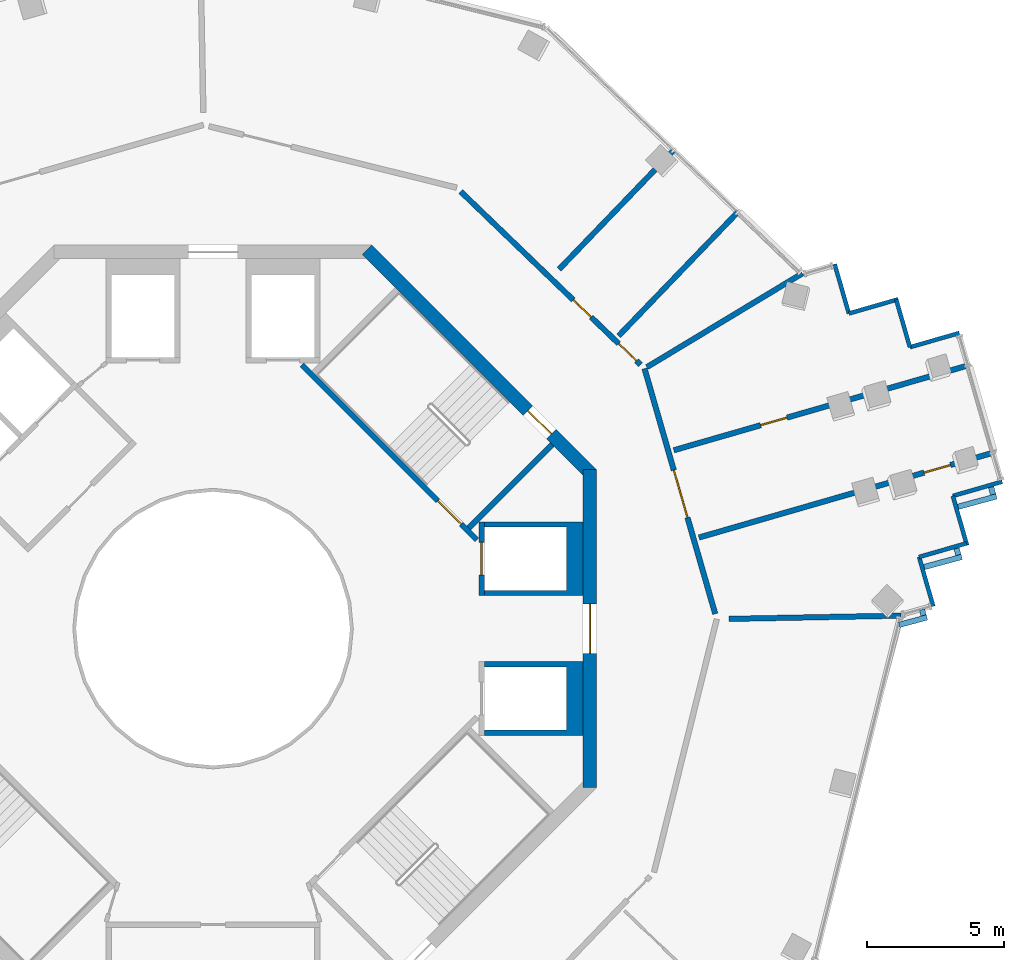
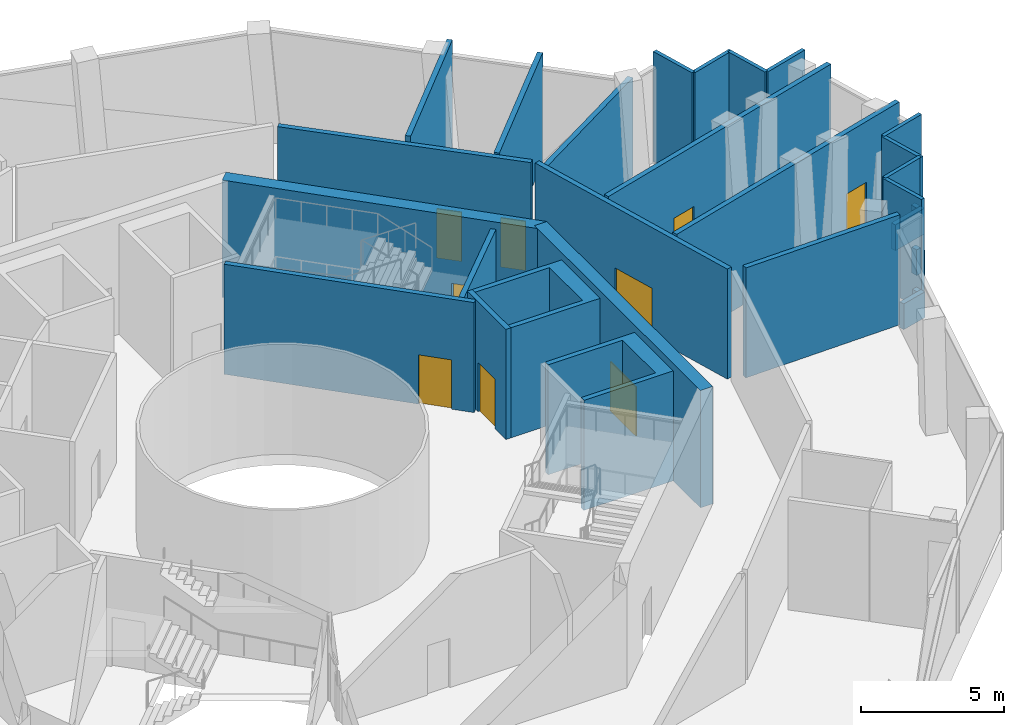
# One storey, part 11 of 17: 29 walls, 9 doors, 9 openings.
"""IFC4 building model written with IfcOpenShell, lengths in metres."""

from ifc_helpers import new_model, si_unit, direction, frame, frame_2d, origin, place, context, subcontext, project, spatial, polyline, rectangle, outline, extrude, material, layer, layer_set, type_object, element, fill, save


model = new_model("IFC4")

# Units and contexts
model_context = context("Model", 3, precision=1e-05, world=origin(), true_north=direction((0.0, 1.0)))
body_context = subcontext(model_context, "Body", "Model", "MODEL_VIEW")
ifc_project = project(units=[si_unit("LENGTHUNIT", "METRE"), si_unit("AREAUNIT", "SQUARE_METRE"), si_unit("VOLUMEUNIT", "CUBIC_METRE"), si_unit("PLANEANGLEUNIT", "RADIAN"), si_unit("MASSUNIT", "GRAM", prefix="KILO")], contexts=[model_context])

# Site, building, storey
site_placement = place(None, origin())
site = spatial("IfcSite", under=ifc_project, at=site_placement, CompositionType="ELEMENT")
building_placement = place(site_placement, origin())
building = spatial("IfcBuilding", under=site, at=building_placement, Name="Verdalira Terraces Hotel", CompositionType="ELEMENT")
storey_placement = place(building_placement, frame((0.0, 0.0, 222.0)))
storey = spatial("IfcBuildingStorey", under=building, at=storey_placement, Name="L54", CompositionType="ELEMENT", Elevation=222.0)

# Walls
ifc_material_1 = material(Name="Concrete C50", Category="concrete")
ifc_layer_1 = layer(ifc_material_1, 0.199951171875)
ifc_layer_set_1 = layer_set([ifc_layer_1], Name="Core RC wall 200 C50")
wall_type_1 = type_object("IfcWallType", Name="Core RC wall 200 C50", PredefinedType="SOLIDWALL", material=ifc_layer_set_1)
wall_1_placement = place(storey_placement, origin())
element("IfcWall", 1, at=wall_1_placement, inside=storey, type_object=wall_type_1, Name="L54 shaft wall E1", PredefinedType="SOLIDWALL", context=body_context, shape_type="SweptSolid", body=[
    extrude(outline(polyline([(13.5, -3.899902), (9.899902, -3.899902), (9.899902, -3.699951), (12.899902, -3.699951), (12.899902, -1.399902), (9.899902, -1.399902), (9.899902, -1.199951), (13.5, -1.199951), (13.5, -3.899902)])), origin(), (0.0, 0.0, 1.0), 4.689941),
])
wall_2_placement = place(storey_placement, origin())
element("IfcWall", 2, at=wall_2_placement, inside=storey, type_object=wall_type_1, Name="L54 shaft wall E2", PredefinedType="SOLIDWALL", context=body_context, shape_type="SweptSolid", body=[
    extrude(outline(polyline([(13.5, 3.899902), (13.5, 1.199951), (9.899902, 1.199951), (9.899902, 1.399902), (12.899902, 1.399902), (12.899902, 3.699951), (9.899902, 3.699951), (9.899902, 3.899902), (13.5, 3.899902)])), origin(), (0.0, 0.0, 1.0), 4.689941),
])

# Wall, opening, door
wall_3_placement = place(storey_placement, frame((9.800049, 1.199951, 0.0), z_axis=(0.0, 0.0, 1.0), x_axis=(0.0, 1.0, 0.0)))
wall_3 = element("IfcWall", 3, at=wall_3_placement, inside=storey, type_object=wall_type_1, Name="L54 shaft front wall E2", PredefinedType="SOLIDWALL", context=body_context, shape_type="SweptSolid", body=[
    extrude(rectangle(XDim=2.699951, YDim=0.199951, at=frame_2d((1.350098, 0.0))), origin(), (0.0, 0.0, 1.0), 4.689941),
])
opening_1_placement = place(wall_3_placement, frame((0.75, 0.0, 0.0)))
opening_1 = element("IfcOpeningElement", 4, at=opening_1_placement, cuts=wall_3, Name="Opening LD-L54-803", PredefinedType="OPENING", context=body_context, shape_type="SweptSolid", body=[
    extrude(rectangle(XDim=1.199951, YDim=2.100098, at=frame_2d((0.600098, 1.050049))), frame((0.0, 0.109863, 0.0), z_axis=(0.0, -1.0, 0.0), x_axis=(1.0, 0.0, 0.0)), (0.0, 0.0, 1.0), 0.219971),
])
ifc_material_2 = material(Name="Stainless steel", Category="steel")
door_type_1 = type_object("IfcDoorType", Name="Landing door 1200 x 2100", OperationType="NOTDEFINED", PredefinedType="DOOR", material=ifc_material_2)
door_1_placement = place(opening_1_placement, origin())
door_1 = element("IfcDoor", 5, at=door_1_placement, inside=storey, type_object=door_type_1, Name="Lift landing door HR2 L54", OperationType="DOUBLE_DOOR_SLIDING", OverallHeight=2.10009765625, OverallWidth=1.199951171875, PredefinedType="DOOR", context=body_context, shape_type="SweptSolid", body=[
    extrude(rectangle(XDim=1.199951, YDim=2.100098, at=frame_2d((0.600098, 1.050049))), frame((0.0, 0.024902, 0.0), z_axis=(0.0, -1.0, 0.0), x_axis=(1.0, 0.0, 0.0)), (0.0, 0.0, 1.0), 0.050049),
])
fill(opening_1, door_1)

wall_4_placement = place(storey_placement, frame((3.23999, 9.629395, 0.0), z_axis=(0.0, 0.0, 1.0), x_axis=(0.707106781, -0.707106781, 0.0)))
wall_4 = element("IfcWall", 6, at=wall_4_placement, inside=storey, type_object=wall_type_1, Name="L54 stair ST1 front wall", PredefinedType="SOLIDWALL", context=body_context, shape_type="SweptSolid", body=[
    extrude(rectangle(XDim=9.035889, YDim=0.199951, at=frame_2d((4.518066, 0.0))), origin(), (0.0, 0.0, 1.0), 4.689941),
])
opening_2_placement = place(wall_4_placement, frame((7.017822, 0.0, 0.0)))
opening_2 = element("IfcOpeningElement", 7, at=opening_2_placement, cuts=wall_4, Name="Opening L54-810", PredefinedType="OPENING", context=body_context, shape_type="SweptSolid", body=[
    extrude(rectangle(XDim=1.199951, YDim=2.100098, at=frame_2d((0.600098, 1.050049))), frame((0.0, 0.109863, 0.0), z_axis=(0.0, -1.0, 0.0), x_axis=(1.0, 0.0, 0.0)), (0.0, 0.0, 1.0), 0.219971),
])
ifc_material_3 = material(Name="Steel fire door", Category="steel")
door_type_2 = type_object("IfcDoorType", Name="Stair door 1200 x 2100", OperationType="NOTDEFINED", PredefinedType="DOOR", material=ifc_material_3)
door_2_placement = place(opening_2_placement, origin())
door_2 = element("IfcDoor", 8, at=door_2_placement, inside=storey, type_object=door_type_2, Name="Stair door ST1 L54", OperationType="SINGLE_SWING_RIGHT", OverallHeight=2.10009765625, OverallWidth=1.199951171875, PredefinedType="DOOR", context=body_context, shape_type="SweptSolid", body=[
    extrude(rectangle(XDim=1.199951, YDim=2.100098, at=frame_2d((0.600098, 1.050049))), frame((0.0, 0.024902, 0.0), z_axis=(0.0, -1.0, 0.0), x_axis=(1.0, 0.0, 0.0)), (0.0, 0.0, 1.0), 0.050049),
])
fill(opening_2, door_2)

# Wall
wall_5_placement = place(storey_placement, frame((9.33374, 3.677002, 0.0), z_axis=(0.0, 0.0, 1.0), x_axis=(0.707135168, 0.707078393, 0.0)))
element("IfcWall", 9, at=wall_5_placement, inside=storey, type_object=wall_type_1, Name="L54 stair ST1 end wall 1", PredefinedType="SOLIDWALL", context=body_context, shape_type="SweptSolid", body=[
    extrude(rectangle(XDim=4.300049, YDim=0.199951, at=frame_2d((2.149902, 0.0))), origin(), (0.0, 0.0, 1.0), 4.689941),
])

# Wall, opening, door
ifc_material_4 = material(Name="Concrete C50", Category="concrete")
ifc_layer_2 = layer(ifc_material_4, 0.5)
ifc_layer_set_2 = layer_set([ifc_layer_2], Name="Core wall 500 C50")
wall_type_2 = type_object("IfcWallType", Name="Core wall 500 C50", PredefinedType="SHEAR", material=ifc_layer_set_2)
wall_6_placement = place(storey_placement, frame((13.75, -5.799072, 0.0), z_axis=(0.0, 0.0, 1.0), x_axis=(0.0, 1.0, 0.0)))
wall_6 = element("IfcWall", 10, at=wall_6_placement, inside=storey, type_object=wall_type_2, Name="Core wall CW-L54-1", PredefinedType="SHEAR", context=body_context, shape_type="SweptSolid", body=[
    extrude(rectangle(XDim=11.598145, YDim=0.5, at=frame_2d((5.799072, 0.0))), origin(), (0.0, 0.0, 1.0), 5.0),
])
opening_3_placement = place(wall_6_placement, frame((4.898926, 0.0, 0.0)))
opening_3 = element("IfcOpeningElement", 11, at=opening_3_placement, cuts=wall_6, Name="Opening L54-813", PredefinedType="OPENING", context=body_context, shape_type="SweptSolid", body=[
    extrude(rectangle(XDim=1.800049, YDim=2.100098, at=frame_2d((0.899902, 1.050049))), frame((0.0, 0.26001, 0.0), z_axis=(0.0, -1.0, 0.0), x_axis=(1.0, 0.0, 0.0)), (0.0, 0.0, 1.0), 0.52002),
])
ifc_material_5 = material(Name="Steel fire door", Category="steel")
door_type_3 = type_object("IfcDoorType", Name="Core entry door pair 1800 x 2100", OperationType="NOTDEFINED", PredefinedType="DOOR", material=ifc_material_5)
door_3_placement = place(opening_3_placement, origin())
door_3 = element("IfcDoor", 12, at=door_3_placement, inside=storey, type_object=door_type_3, Name="Core entry door L54 0", OperationType="DOUBLE_DOOR_SINGLE_SWING", OverallHeight=2.10009765625, OverallWidth=1.800048828125, PredefinedType="DOOR", context=body_context, shape_type="SweptSolid", body=[
    extrude(rectangle(XDim=1.800049, YDim=2.100098, at=frame_2d((0.899902, 1.050049))), frame((0.0, 0.024902, 0.0), z_axis=(0.0, -1.0, 0.0), x_axis=(1.0, 0.0, 0.0)), (0.0, 0.0, 1.0), 0.050049),
])
fill(opening_3, door_3)

wall_7_placement = place(storey_placement, frame((13.823242, 5.622314, 0.0), z_axis=(0.0, 0.0, 1.0), x_axis=(-0.707106781, 0.707106781, 0.0)))
wall_7 = element("IfcWall", 13, at=wall_7_placement, inside=storey, type_object=wall_type_2, Name="Core wall CW-L54-2", PredefinedType="SHEAR", context=body_context, shape_type="SweptSolid", body=[
    extrude(rectangle(XDim=11.5979, YDim=0.5, at=frame_2d((5.798828, 0.0))), origin(), (0.0, 0.0, 1.0), 5.0),
])
opening_4_placement = place(wall_7_placement, frame((2.099121, 0.0, 0.0)))
opening_4 = element("IfcOpeningElement", 14, at=opening_4_placement, cuts=wall_7, Name="Opening L54-816", PredefinedType="OPENING", context=body_context, shape_type="SweptSolid", body=[
    extrude(rectangle(XDim=1.199951, YDim=2.100098, at=frame_2d((0.600098, 1.050049))), frame((0.0, 0.26001, 0.0), z_axis=(0.0, -1.0, 0.0), x_axis=(1.0, 0.0, 0.0)), (0.0, 0.0, 1.0), 0.52002),
])
door_4_placement = place(opening_4_placement, origin())
door_4 = element("IfcDoor", 15, at=door_4_placement, inside=storey, type_object=door_type_2, Name="Stair exit door ST1 L54", OperationType="SINGLE_SWING_LEFT", OverallHeight=2.10009765625, OverallWidth=1.199951171875, PredefinedType="DOOR", context=body_context, shape_type="SweptSolid", body=[
    extrude(rectangle(XDim=1.199951, YDim=2.100098, at=frame_2d((0.600098, 1.050049))), frame((0.0, 0.024902, 0.0), z_axis=(0.0, -1.0, 0.0), x_axis=(1.0, 0.0, 0.0)), (0.0, 0.0, 1.0), 0.050049),
])
fill(opening_4, door_4)

# Wall
ifc_material_6 = material(Name="Fire-rated gypsum board wall")
ifc_layer_3 = layer(ifc_material_6, 0.199951171875)
ifc_layer_set_3 = layer_set([ifc_layer_3], Name="Demising wall 200 mm")
wall_type_3 = type_object("IfcWallType", Name="Demising wall 200 mm", PredefinedType="SOLIDWALL", material=ifc_layer_set_3)
wall_8_placement = place(storey_placement, frame((25.109619, 0.473389, 0.0), z_axis=(0.0, 0.0, 1.0), x_axis=(-0.999822352, -0.018848441, 0.0)))
element("IfcWall", 16, at=wall_8_placement, inside=storey, type_object=wall_type_3, Name="Demising wall", PredefinedType="SOLIDWALL", context=body_context, shape_type="SweptSolid", body=[
    extrude(rectangle(XDim=6.282227, YDim=0.199951, at=frame_2d((3.141113, 0.0))), origin(), (0.0, 0.0, 1.0), 4.689941),
])

# Wall, opening, door
wall_9_placement = place(storey_placement, frame((16.813232, 6.509033, 0.0), z_axis=(0.0, 0.0, 1.0), x_axis=(0.960873818, 0.276986474, 0.0)))
wall_9 = element("IfcWall", 17, at=wall_9_placement, inside=storey, type_object=wall_type_3, Name="Demising wall", PredefinedType="SOLIDWALL", context=body_context, shape_type="SweptSolid", body=[
    extrude(rectangle(XDim=11.198486, YDim=0.199951, at=frame_2d((5.599121, 0.0))), origin(), (0.0, 0.0, 1.0), 4.689941),
])
opening_5_placement = place(wall_9_placement, frame((3.300049, 0.0, 0.0)))
opening_5 = element("IfcOpeningElement", 18, at=opening_5_placement, cuts=wall_9, Name="Opening L54-118", PredefinedType="OPENING", context=body_context, shape_type="SweptSolid", body=[
    extrude(rectangle(XDim=1.0, YDim=2.100098, at=frame_2d((0.5, 1.050049))), frame((0.0, 0.109863, 0.0), z_axis=(0.0, -1.0, 0.0), x_axis=(1.0, 0.0, 0.0)), (0.0, 0.0, 1.0), 0.219971),
])
ifc_material_7 = material(Name="Timber fire door", Category="wood")
door_type_4 = type_object("IfcDoorType", Name="Public room door 1000 x 2100", OperationType="NOTDEFINED", PredefinedType="DOOR", material=ifc_material_7)
door_5_placement = place(opening_5_placement, origin())
door_5 = element("IfcDoor", 19, at=door_5_placement, inside=storey, type_object=door_type_4, Name="Public room door 5408", OperationType="SINGLE_SWING_LEFT", OverallHeight=2.10009765625, OverallWidth=1.0, PredefinedType="DOOR", context=body_context, shape_type="SweptSolid", body=[
    extrude(rectangle(XDim=1.0, YDim=2.100098, at=frame_2d((0.5, 1.050049))), frame((0.0, 0.024902, 0.0), z_axis=(0.0, -1.0, 0.0), x_axis=(1.0, 0.0, 0.0)), (0.0, 0.0, 1.0), 0.050049),
])
fill(opening_5, door_5)

wall_10_placement = place(storey_placement, frame((28.491699, 6.425781, 0.0), z_axis=(0.0, 0.0, 1.0), x_axis=(-0.96087962, -0.276966345, 0.0)))
wall_10 = element("IfcWall", 20, at=wall_10_placement, inside=storey, type_object=wall_type_3, Name="Demising wall", PredefinedType="SOLIDWALL", context=body_context, shape_type="SweptSolid", body=[
    extrude(rectangle(XDim=11.198242, YDim=0.199951, at=frame_2d((5.599121, 0.0))), origin(), (0.0, 0.0, 1.0), 4.689941),
])
opening_6_placement = place(wall_10_placement, frame((1.649902, 0.0, 0.0)))
opening_6 = element("IfcOpeningElement", 21, at=opening_6_placement, cuts=wall_10, Name="Opening L54-117", PredefinedType="OPENING", context=body_context, shape_type="SweptSolid", body=[
    extrude(rectangle(XDim=1.0, YDim=2.100098, at=frame_2d((0.5, 1.050049))), frame((0.0, 0.109863, 0.0), z_axis=(0.0, -1.0, 0.0), x_axis=(1.0, 0.0, 0.0)), (0.0, 0.0, 1.0), 0.219971),
])
door_6_placement = place(opening_6_placement, origin())
door_6 = element("IfcDoor", 22, at=door_6_placement, inside=storey, type_object=door_type_4, Name="Public room door 5408", OperationType="SINGLE_SWING_LEFT", OverallHeight=2.10009765625, OverallWidth=1.0, PredefinedType="DOOR", context=body_context, shape_type="SweptSolid", body=[
    extrude(rectangle(XDim=1.0, YDim=2.100098, at=frame_2d((0.5, 1.050049))), frame((0.0, 0.024902, 0.0), z_axis=(0.0, -1.0, 0.0), x_axis=(1.0, 0.0, 0.0)), (0.0, 0.0, 1.0), 0.050049),
])
fill(opening_6, door_6)

# Wall, openings, doors
ifc_material_8 = material(Name="Fire-rated gypsum board wall")
ifc_layer_4 = layer(ifc_material_8, 0.199951171875)
ifc_layer_set_4 = layer_set([ifc_layer_4], Name="Guest corridor wall 200 mm")
wall_type_4 = type_object("IfcWallType", Name="Guest corridor wall 200 mm", PredefinedType="SOLIDWALL", material=ifc_layer_set_4)
wall_11_placement = place(storey_placement, frame((9.035156, 15.952881, 0.0), z_axis=(0.0, 0.0, 1.0), x_axis=(0.720318231, -0.693643746, 0.0)))
wall_11 = element("IfcWall", 23, at=wall_11_placement, inside=storey, type_object=wall_type_4, Name="Guest corridor wall", PredefinedType="SOLIDWALL", context=body_context, shape_type="SweptSolid", body=[
    extrude(rectangle(XDim=9.115967, YDim=0.199951, at=frame_2d((4.558105, 0.0))), origin(), (0.0, 0.0, 1.0), 4.689941),
])
opening_7_placement = place(wall_11_placement, frame((8.007812, 0.0, 0.0)))
opening_7 = element("IfcOpeningElement", 24, at=opening_7_placement, cuts=wall_11, Name="Opening L54-123", PredefinedType="OPENING", context=body_context, shape_type="SweptSolid", body=[
    extrude(rectangle(XDim=0.899902, YDim=2.100098, at=frame_2d((0.449951, 1.050049))), frame((0.0, 0.109863, 0.0), z_axis=(0.0, -1.0, 0.0), x_axis=(1.0, 0.0, 0.0)), (0.0, 0.0, 1.0), 0.219971),
])
opening_8_placement = place(wall_11_placement, frame((5.707764, 0.0, 0.0)))
opening_8 = element("IfcOpeningElement", 25, at=opening_8_placement, cuts=wall_11, Name="Opening L54-124", PredefinedType="OPENING", context=body_context, shape_type="SweptSolid", body=[
    extrude(rectangle(XDim=0.899902, YDim=2.100098, at=frame_2d((0.449951, 1.050049))), frame((0.0, 0.109863, 0.0), z_axis=(0.0, -1.0, 0.0), x_axis=(1.0, 0.0, 0.0)), (0.0, 0.0, 1.0), 0.219971),
])
ifc_material_9 = material(Name="Timber fire door", Category="wood")
door_type_5 = type_object("IfcDoorType", Name="Toilet door 900 x 2100", OperationType="NOTDEFINED", PredefinedType="DOOR", material=ifc_material_9)
door_7_placement = place(opening_7_placement, origin())
door_7 = element("IfcDoor", 26, at=door_7_placement, inside=storey, type_object=door_type_5, Name="Toilet door 5413", OperationType="SINGLE_SWING_LEFT", OverallHeight=2.10009765625, OverallWidth=0.89990234375, PredefinedType="DOOR", context=body_context, shape_type="SweptSolid", body=[
    extrude(rectangle(XDim=0.899902, YDim=2.100098, at=frame_2d((0.449951, 1.050049))), frame((0.0, 0.024902, 0.0), z_axis=(0.0, -1.0, 0.0), x_axis=(1.0, 0.0, 0.0)), (0.0, 0.0, 1.0), 0.050049),
])
fill(opening_7, door_7)
door_8_placement = place(opening_8_placement, origin())
door_8 = element("IfcDoor", 27, at=door_8_placement, inside=storey, type_object=door_type_5, Name="Toilet door 5414", OperationType="SINGLE_SWING_LEFT", OverallHeight=2.10009765625, OverallWidth=0.89990234375, PredefinedType="DOOR", context=body_context, shape_type="SweptSolid", body=[
    extrude(rectangle(XDim=0.899902, YDim=2.100098, at=frame_2d((0.449951, 1.050049))), frame((0.0, 0.024902, 0.0), z_axis=(0.0, -1.0, 0.0), x_axis=(1.0, 0.0, 0.0)), (0.0, 0.0, 1.0), 0.050049),
])
fill(opening_8, door_8)

# Wall, opening, door
wall_12_placement = place(storey_placement, frame((15.745605, 9.490967, 0.0), z_axis=(0.0, 0.0, 1.0), x_axis=(0.276983861, -0.960874571, 0.0)))
wall_12 = element("IfcWall", 28, at=wall_12_placement, inside=storey, type_object=wall_type_4, Name="Guest corridor wall", PredefinedType="SOLIDWALL", context=body_context, shape_type="SweptSolid", body=[
    extrude(rectangle(XDim=9.31665, YDim=0.199951, at=frame_2d((4.658203, 0.0))), origin(), (0.0, 0.0, 1.0), 4.689941),
])
opening_9_placement = place(wall_12_placement, frame((3.86084, 0.0, 0.0)))
opening_9 = element("IfcOpeningElement", 29, at=opening_9_placement, cuts=wall_12, Name="Opening L54-116", PredefinedType="OPENING", context=body_context, shape_type="SweptSolid", body=[
    extrude(rectangle(XDim=1.800049, YDim=2.100098, at=frame_2d((0.899902, 1.050049))), frame((0.0, 0.109863, 0.0), z_axis=(0.0, -1.0, 0.0), x_axis=(1.0, 0.0, 0.0)), (0.0, 0.0, 1.0), 0.219971),
])
ifc_material_10 = material(Name="Timber fire door", Category="wood")
door_type_6 = type_object("IfcDoorType", Name="Public room double door 1800 x 2100", OperationType="NOTDEFINED", PredefinedType="DOOR", material=ifc_material_10)
door_9_placement = place(opening_9_placement, origin())
door_9 = element("IfcDoor", 30, at=door_9_placement, inside=storey, type_object=door_type_6, Name="Public room double door 5408", OperationType="DOUBLE_DOOR_SINGLE_SWING", OverallHeight=2.10009765625, OverallWidth=1.800048828125, PredefinedType="DOOR", context=body_context, shape_type="SweptSolid", body=[
    extrude(rectangle(XDim=1.800049, YDim=2.100098, at=frame_2d((0.899902, 1.050049))), frame((0.0, 0.024902, 0.0), z_axis=(0.0, -1.0, 0.0), x_axis=(1.0, 0.0, 0.0)), (0.0, 0.0, 1.0), 0.050049),
])
fill(opening_9, door_9)

# Walls
ifc_material_11 = material(Name="Fire-rated gypsum board wall")
ifc_layer_5 = layer(ifc_material_11, 0.199951171875)
ifc_layer_set_5 = layer_set([ifc_layer_5], Name="Service room wall 200 mm")
wall_type_5 = type_object("IfcWallType", Name="Service room wall 200 mm", PredefinedType="SOLIDWALL", material=ifc_layer_set_5)
wall_13_placement = place(storey_placement, frame((16.826904, 17.473389, 0.0), z_axis=(0.0, 0.0, 1.0), x_axis=(-0.693670367, -0.720292594, 0.0)))
element("IfcWall", 31, at=wall_13_placement, inside=storey, type_object=wall_type_5, Name="Service room wall", PredefinedType="SOLIDWALL", context=body_context, shape_type="SweptSolid", body=[
    extrude(rectangle(XDim=6.05249, YDim=0.199951, at=frame_2d((3.026367, 0.0))), origin(), (0.0, 0.0, 1.0), 4.689941),
])
wall_14_placement = place(storey_placement, frame((14.797852, 10.681152, 0.0), z_axis=(0.0, 0.0, 1.0), x_axis=(0.693669986, 0.720292962, 0.0)))
element("IfcWall", 32, at=wall_14_placement, inside=storey, type_object=wall_type_5, Name="Service room wall", PredefinedType="SOLIDWALL", context=body_context, shape_type="SweptSolid", body=[
    extrude(rectangle(XDim=6.300049, YDim=0.199951, at=frame_2d((3.149902, 0.0))), origin(), (0.0, 0.0, 1.0), 4.689941),
])
ifc_material_12 = material(Name="Fire-rated gypsum board wall")
ifc_layer_6 = layer(ifc_material_12, 0.199951171875)
ifc_layer_set_6 = layer_set([ifc_layer_6], Name="Service room wall 200 mm to beam soffit")
wall_type_6 = type_object("IfcWallType", Name="Service room wall 200 mm to beam soffit", PredefinedType="SOLIDWALL", material=ifc_layer_set_6)
wall_15_placement = place(storey_placement, frame((15.834229, 9.544189, 0.0), z_axis=(0.0, 0.0, 1.0), x_axis=(0.856447509, 0.516234118, 0.0)))
element("IfcWall", 33, at=wall_15_placement, inside=storey, type_object=wall_type_6, Name="Service room wall", PredefinedType="SOLIDWALL", context=body_context, shape_type="SweptSolid", body=[
    extrude(rectangle(XDim=6.625732, YDim=0.199951, at=frame_2d((3.312988, 0.0))), origin(), (0.0, 0.0, 1.0), 4.189941),
])
ifc_material_13 = material(Name="Terracotta cladding", Category="masonry")
ifc_layer_7 = layer(ifc_material_13, 0.199951171875)
ifc_layer_set_7 = layer_set([ifc_layer_7], Name="Terracotta clad parapet 200")
wall_type_7 = type_object("IfcWallType", Name="Terracotta clad parapet 200", PredefinedType="PARAPET", material=ifc_layer_set_7)
wall_16_placement = place(storey_placement, frame((25.040039, 0.13623, 0.0), z_axis=(0.0, 0.0, 1.0), x_axis=(0.965399806, 0.260774261, 0.0)))
element("IfcWall", 34, at=wall_16_placement, inside=storey, type_object=wall_type_7, Name="Terracotta clad parapet", PredefinedType="PARAPET", context=body_context, shape_type="SweptSolid", body=[
    extrude(rectangle(XDim=1.049561, YDim=0.199951, at=frame_2d((0.524902, 0.0))), origin(), (0.0, 0.0, 1.0), 1.100098),
])
wall_17_placement = place(storey_placement, frame((25.930664, 0.480469, 0.0), z_axis=(0.0, 0.0, 1.0), x_axis=(-0.261329138, 0.965249751, 0.0)))
element("IfcWall", 35, at=wall_17_placement, inside=storey, type_object=wall_type_7, Name="Terracotta clad parapet", PredefinedType="PARAPET", context=body_context, shape_type="SweptSolid", body=[
    extrude(rectangle(XDim=0.219482, YDim=0.199951, at=frame_2d((0.109863, 0.0))), origin(), (0.0, 0.0, 1.0), 1.100098),
])
wall_18_placement = place(storey_placement, frame((25.950684, 2.246826, 0.0), z_axis=(0.0, 0.0, 1.0), x_axis=(0.965387967, 0.260818085, 0.0)))
element("IfcWall", 36, at=wall_18_placement, inside=storey, type_object=wall_type_7, Name="Terracotta clad parapet", PredefinedType="PARAPET", context=body_context, shape_type="SweptSolid", body=[
    extrude(rectangle(XDim=1.419922, YDim=0.199951, at=frame_2d((0.709961, 0.0))), origin(), (0.0, 0.0, 1.0), 1.100098),
])
wall_19_placement = place(storey_placement, frame((27.198975, 2.687744, 0.0), z_axis=(0.0, 0.0, 1.0), x_axis=(-0.26179466, 0.965123596, 0.0)))
element("IfcWall", 37, at=wall_19_placement, inside=storey, type_object=wall_type_7, Name="Terracotta clad parapet", PredefinedType="PARAPET", context=body_context, shape_type="SweptSolid", body=[
    extrude(rectangle(XDim=0.25, YDim=0.199951, at=frame_2d((0.125, 0.0))), origin(), (0.0, 0.0, 1.0), 1.100098),
])
wall_20_placement = place(storey_placement, frame((27.190186, 4.446289, 0.0), z_axis=(0.0, 0.0, 1.0), x_axis=(0.965371418, 0.260879331, 0.0)))
element("IfcWall", 38, at=wall_20_placement, inside=storey, type_object=wall_type_7, Name="Terracotta clad parapet", PredefinedType="PARAPET", context=body_context, shape_type="SweptSolid", body=[
    extrude(rectangle(XDim=1.449707, YDim=0.199951, at=frame_2d((0.724854, 0.0))), origin(), (0.0, 0.0, 1.0), 1.100098),
])
wall_21_placement = place(storey_placement, frame((28.467041, 4.894775, 0.0), z_axis=(0.0, 0.0, 1.0), x_axis=(-0.261128255, 0.965304115, 0.0)))
element("IfcWall", 39, at=wall_21_placement, inside=storey, type_object=wall_type_7, Name="Terracotta clad parapet", PredefinedType="PARAPET", context=body_context, shape_type="SweptSolid", body=[
    extrude(rectangle(XDim=0.280518, YDim=0.199951, at=frame_2d((0.140137, 0.0))), origin(), (0.0, 0.0, 1.0), 1.100098),
])
ifc_material_14 = material(Name="Terracotta cladding", Category="masonry")
ifc_layer_8 = layer(ifc_material_14, 0.14990234375)
ifc_layer_set_8 = layer_set([ifc_layer_8], Name="Terracotta clad wall 150")
wall_type_8 = type_object("IfcWallType", Name="Terracotta clad wall 150", PredefinedType="SOLIDWALL", material=ifc_layer_set_8)
wall_22_placement = place(storey_placement, frame((26.285156, 0.812256, 0.0), z_axis=(0.0, 0.0, 1.0), x_axis=(-0.276973388, 0.96087759, 0.0)))
element("IfcWall", 40, at=wall_22_placement, inside=storey, type_object=wall_type_8, Name="Terracotta cladding wall", PredefinedType="SOLIDWALL", context=body_context, shape_type="SweptSolid", body=[
    extrude(rectangle(XDim=1.874756, YDim=0.149902, at=frame_2d((0.9375, 0.0))), origin(), (0.0, 0.0, 1.0), 4.689941),
])
wall_23_placement = place(storey_placement, frame((25.765869, 2.61377, 0.0), z_axis=(0.0, 0.0, 1.0), x_axis=(0.96084026, 0.277102859, 0.0)))
element("IfcWall", 41, at=wall_23_placement, inside=storey, type_object=wall_type_8, Name="Terracotta cladding wall", PredefinedType="SOLIDWALL", context=body_context, shape_type="SweptSolid", body=[
    extrude(rectangle(XDim=1.800049, YDim=0.149902, at=frame_2d((0.899902, 0.0))), origin(), (0.0, 0.0, 1.0), 4.689941),
])
for number, where, z_axis, x_axis, name in (
    (42, (27.516113, 3.040283, 0.0), (0.0, 0.0, 1.0), (-0.276938737, 0.960887577, 0.0), "Terracotta cladding wall"),
    (43, (26.996826, 4.842041, 0.0), (0.0, 0.0, 1.0), (0.960887577, 0.276938737, 0.0), "Terracotta cladding wall"),
    (44, (27.233643, 10.790283, 0.0), (0.0, 0.0, 1.0), (-0.960887577, -0.276938737, 0.0), "Terracotta cladding wall"),
):
    element("IfcWall", number, at=place(storey_placement, frame(where, z_axis=z_axis, x_axis=x_axis)), inside=storey, type_object=wall_type_8, Name=name, PredefinedType="SOLIDWALL", context=body_context, shape_type="SweptSolid", body=[
        extrude(rectangle(XDim=1.875, YDim=0.149902, at=frame_2d((0.9375, 0.0))), origin(), (0.0, 0.0, 1.0), 4.689941),
    ])
wall_24_placement = place(storey_placement, frame((25.431885, 10.270996, 0.0), z_axis=(0.0, 0.0, 1.0), x_axis=(-0.276977631, 0.960876367, 0.0)))
element("IfcWall", 45, at=wall_24_placement, inside=storey, type_object=wall_type_8, Name="Terracotta cladding wall", PredefinedType="SOLIDWALL", context=body_context, shape_type="SweptSolid", body=[
    extrude(rectangle(XDim=1.799805, YDim=0.149902, at=frame_2d((0.899902, 0.0))), origin(), (0.0, 0.0, 1.0), 4.689941),
])
wall_25_placement = place(storey_placement, frame((25.005371, 12.02124, 0.0), z_axis=(0.0, 0.0, 1.0), x_axis=(-0.96087759, -0.276973388, 0.0)))
element("IfcWall", 46, at=wall_25_placement, inside=storey, type_object=wall_type_8, Name="Terracotta cladding wall", PredefinedType="SOLIDWALL", context=body_context, shape_type="SweptSolid", body=[
    extrude(rectangle(XDim=1.874756, YDim=0.149902, at=frame_2d((0.9375, 0.0))), origin(), (0.0, 0.0, 1.0), 4.689941),
])
wall_26_placement = place(storey_placement, frame((23.203857, 11.501953, 0.0), z_axis=(0.0, 0.0, 1.0), x_axis=(-0.276938737, 0.960887577, 0.0)))
element("IfcWall", 47, at=wall_26_placement, inside=storey, type_object=wall_type_8, Name="Terracotta cladding wall", PredefinedType="SOLIDWALL", context=body_context, shape_type="SweptSolid", body=[
    extrude(rectangle(XDim=1.875, YDim=0.149902, at=frame_2d((0.9375, 0.0))), origin(), (0.0, 0.0, 1.0), 4.689941),
])

save(model, "model.ifc")
